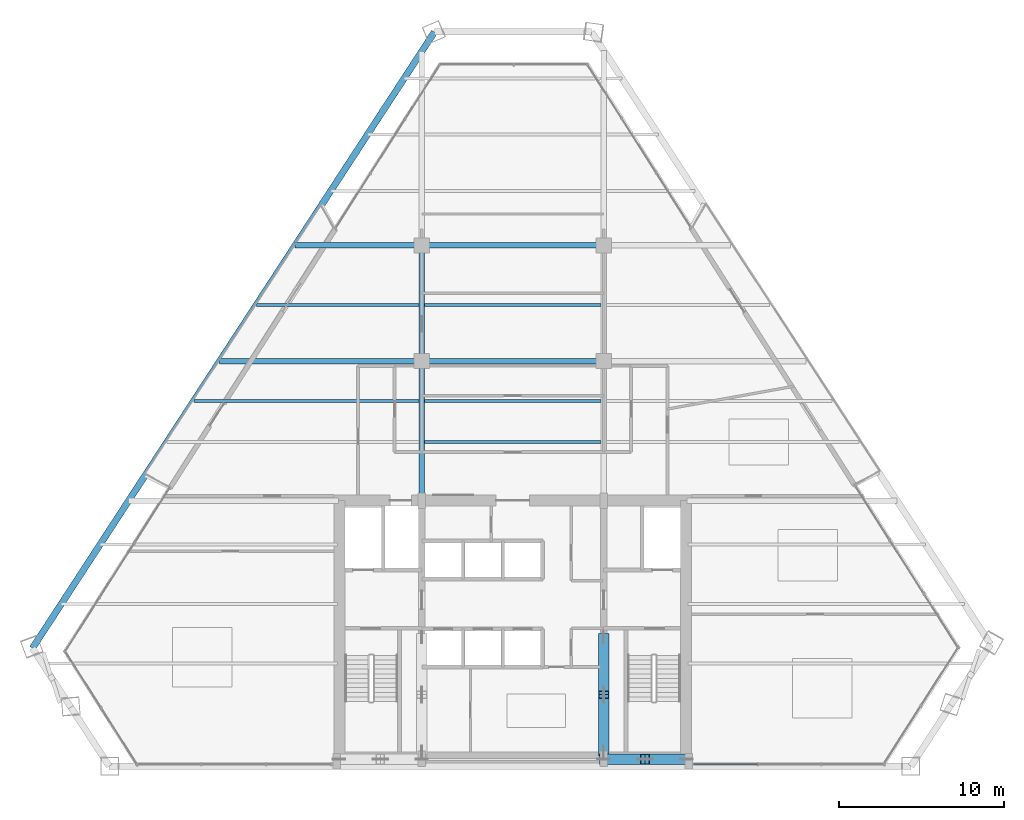
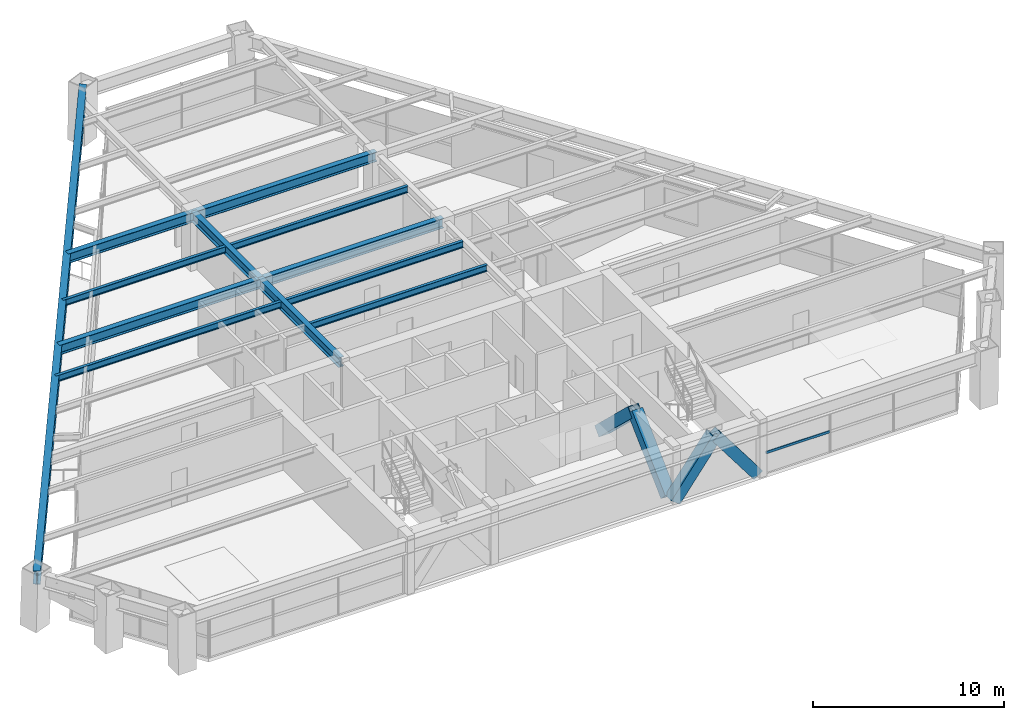
# One storey, part 5 of 15: 12 beams, 5 members, 1 element without a shape of its own.
"""IFC4 building model written with IfcOpenShell, lengths in metres."""

from ifc_helpers import new_model, si_unit, direction, frame, origin, origin_2d, place, context, subcontext, project, spatial, rectangle, hollow_rectangle, i_section, extrude, source, transform, mapped, material, material_profile, profile_set, type_object, type_shapes, element, aggregate, save


model = new_model("IFC4")

# Units and contexts
model_context = context("Model", 3, precision=1e-05, world=origin(), true_north=direction((0.0, 1.0)))
body_context = subcontext(model_context, "Body", "Model", "MODEL_VIEW")
ifc_project = project(units=[si_unit("LENGTHUNIT", "METRE"), si_unit("AREAUNIT", "SQUARE_METRE"), si_unit("VOLUMEUNIT", "CUBIC_METRE"), si_unit("PLANEANGLEUNIT", "RADIAN"), si_unit("MASSUNIT", "GRAM", prefix="KILO")], contexts=[model_context])

# Site, building, storey
site_placement = place(None, origin())
site = spatial("IfcSite", under=ifc_project, at=site_placement, CompositionType="ELEMENT")
building_placement = place(site_placement, origin())
building = spatial("IfcBuilding", under=site, at=building_placement, Name="Varnakhor Terracotta Tower", CompositionType="ELEMENT")
storey_placement = place(building_placement, frame((0.0, 0.0, 158.89990234375)))
storey = spatial("IfcBuildingStorey", under=building, at=storey_placement, Name="L40", CompositionType="ELEMENT", Elevation=158.89990234375)

# Beams
ifc_material_1 = material(Name="Steel S355", Category="steel")
ifc_material_profile_1 = material_profile(ifc_material_1, i_section(OverallWidth=0.324951171875, OverallDepth=0.615966796875, WebThickness=0.013916015625, FlangeThickness=0.02197265625, FilletRadius=0.01806640625, at=origin_2d()), Name="W24X117")
ifc_profile_set_1 = profile_set([ifc_material_profile_1], Name="Steel S355")
beam_type_1 = type_object("IfcBeamType", Name="BM-W24X117", PredefinedType="BEAM", material=ifc_profile_set_1)
shared_shape_1 = source(origin(), body_context, "Body", "SweptSolid", [
    extrude(i_section(OverallWidth=0.324951171875, OverallDepth=0.615966796875, WebThickness=0.013916015625, FlangeThickness=0.02197265625, FilletRadius=0.01806640625, at=origin_2d()), origin(), (0.0, 0.0, 1.0), 8.449951171875),
])
type_shapes(beam_type_1, [shared_shape_1])
beam_1_placement = place(storey_placement, frame((-5.5, 16.050048828125, 3.162109375), z_axis=(0.0, 1.0, 0.0), x_axis=(-1.0, 0.0, 0.0)))
element("IfcBeam", 1, at=beam_1_placement, inside=storey, type_object=beam_type_1, Name="L40 Primary Girder NS1-W", PredefinedType="BEAM", context=body_context, shape_type="MappedRepresentation", body=[
    mapped(shared_shape_1, transform((0.0, 0.0, 0.0), scale=1.0)),
])
shared_shape_2 = source(origin(), body_context, "Body", "SweptSolid", [
    extrude(i_section(OverallWidth=0.324951171875, OverallDepth=0.615966796875, WebThickness=0.013916015625, FlangeThickness=0.02197265625, FilletRadius=0.01806640625, at=origin_2d()), origin(), (0.0, 0.0, 1.0), 7.0),
])
beam_2_placement = place(storey_placement, frame((-5.5, 24.5, 3.162109375), z_axis=(0.0, 1.0, 0.0), x_axis=(-1.0, 0.0, 0.0)))
element("IfcBeam", 2, at=beam_2_placement, inside=storey, type_object=beam_type_1, Name="L40 Primary Girder NS2-W", PredefinedType="BEAM", context=body_context, shape_type="MappedRepresentation", body=[
    mapped(shared_shape_2, transform((0.0, 0.0, 0.0), scale=1.0)),
])
shared_shape_3 = source(origin(), body_context, "Body", "SweptSolid", [
    extrude(i_section(OverallWidth=0.324951171875, OverallDepth=0.615966796875, WebThickness=0.013916015625, FlangeThickness=0.02197265625, FilletRadius=0.01806640625, at=origin_2d()), origin(), (0.0, 0.0, 1.0), 11.0),
])
for number, where, z_axis, x_axis, name in (
    (3, (-5.5, 24.5, 3.162109375), (1.0, 0.0, 0.0), (0.0, 1.0, 0.0), "L40 Primary Girder EW2-2"),
    (4, (-5.5, 31.5, 3.162109375), (1.0, 0.0, 0.0), (0.0, 1.0, 0.0), "L40 Primary Girder EW3-2"),
):
    element("IfcBeam", number, at=place(storey_placement, frame(where, z_axis=z_axis, x_axis=x_axis)), inside=storey, type_object=beam_type_1, Name=name, PredefinedType="BEAM", context=body_context, shape_type="MappedRepresentation", body=[
        mapped(shared_shape_3, transform((0.0, 0.0, 0.0), scale=1.0)),
    ])
ifc_material_profile_2 = material_profile(ifc_material_1, i_section(OverallWidth=0.179931640625, OverallDepth=0.4130859375, WebThickness=0.009765625, FlangeThickness=0.01611328125, FilletRadius=0.01806640625, at=origin_2d()), Name="W16X50")
ifc_profile_set_2 = profile_set([ifc_material_profile_2], Name="Steel S355")
beam_type_2 = type_object("IfcBeamType", Name="JST-W16X50", PredefinedType="JOIST", material=ifc_profile_set_2)
shared_shape_4 = source(origin(), body_context, "Body", "SweptSolid", [
    extrude(i_section(OverallWidth=0.179931640625, OverallDepth=0.4130859375, WebThickness=0.009765625, FlangeThickness=0.01611328125, FilletRadius=0.01806640625, at=origin_2d()), origin(), (0.0, 0.0, 1.0), 10.68310546875),
])
for number, where, z_axis, x_axis, name in (
    (5, (-5.341552734375, 19.60009765625, 3.263671875), (1.0, 0.0, 0.0), (0.0, 1.0, 0.0), "L40 Composite Floor Joist 4-2"),
    (6, (-5.341552734375, 22.10009765625, 3.263671875), (1.0, 0.0, 0.0), (0.0, 1.0, 0.0), "L40 Composite Floor Joist 5-2"),
    (7, (-5.341552734375, 27.89990234375, 3.263671875), (1.0, 0.0, 0.0), (0.0, 1.0, 0.0), "L40 Composite Floor Joist 6-2"),
):
    element("IfcBeam", number, at=place(storey_placement, frame(where, z_axis=z_axis, x_axis=x_axis)), inside=storey, type_object=beam_type_2, Name=name, PredefinedType="JOIST", context=body_context, shape_type="MappedRepresentation", body=[
        mapped(shared_shape_4, transform((0.0, 0.0, 0.0), scale=1.0)),
    ])

# Members
ifc_material_2 = material(Name="Steel S460", Category="steel")
ifc_material_profile_3 = material_profile(ifc_material_2, hollow_rectangle(XDim=0.64990234375, YDim=0.64990234375, WallThickness=0.0400390625, at=origin_2d()), Name="HSS650X650X40")
ifc_profile_set_3 = profile_set([ifc_material_profile_3], Name="Steel S460")
member_type_1 = type_object("IfcMemberType", Name="MBR-MEGA-650", PredefinedType="BRACE", material=ifc_profile_set_3)
shared_shape_5 = source(origin(), body_context, "Body", "SweptSolid", [
    extrude(hollow_rectangle(XDim=0.64990234375, YDim=0.64990234375, WallThickness=0.0400390625, at=origin_2d()), origin(), (0.0, 0.0, 1.0), 4.805908203125),
])
member_1_placement = place(storey_placement, frame((5.5, 0.85009765625, 0.0), z_axis=(0.0, 0.723026776832, 0.69082000549), x_axis=(-1.0, 0.0, 0.0)))
element("IfcMember", 8, at=member_1_placement, inside=storey, type_object=member_type_1, Name="L40 Core Coupled Brace CWEA", PredefinedType="BRACE", context=body_context, shape_type="MappedRepresentation", body=[
    mapped(shared_shape_5, transform((0.0, 0.0, 0.0), scale=1.0)),
])
shared_shape_6 = source(origin(), body_context, "Body", "SweptSolid", [
    extrude(hollow_rectangle(XDim=0.64990234375, YDim=0.64990234375, WallThickness=0.0400390625, at=origin_2d()), origin(), (0.0, 0.0, 1.0), 4.156005859375),
])
for number, where, z_axis, x_axis, name in (
    (9, (5.5, 0.419921875, 0.0), (0.601530923869, 0.0, 0.798849515009), (0.0, 1.0, 0.0), "L40 Core Coupled Brace CSEA"),
    (10, (10.5, 0.419921875, 0.0), (-0.601530923869, 0.0, 0.798849515009), (0.0, -1.0, 0.0), "L40 Core Coupled Brace CSEB"),
):
    element("IfcMember", number, at=place(storey_placement, frame(where, z_axis=z_axis, x_axis=x_axis)), inside=storey, type_object=member_type_1, Name=name, PredefinedType="BRACE", context=body_context, shape_type="MappedRepresentation", body=[
        mapped(shared_shape_6, transform((0.0, 0.0, 0.0), scale=1.0)),
    ])
shared_shape_7 = source(origin(), body_context, "Body", "SweptSolid", [
    extrude(hollow_rectangle(XDim=0.64990234375, YDim=0.64990234375, WallThickness=0.0400390625, at=origin_2d()), origin(), (0.0, 0.0, 1.0), 4.80615234375),
])
member_2_placement = place(storey_placement, frame((5.5, 7.800048828125, 0.0), z_axis=(0.0, -0.723051018573, 0.690794632681), x_axis=(1.0, 0.0, 0.0)))
element("IfcMember", 11, at=member_2_placement, inside=storey, type_object=member_type_1, Name="L40 Core Coupled Brace CWEB", PredefinedType="BRACE", context=body_context, shape_type="MappedRepresentation", body=[
    mapped(shared_shape_7, transform((0.0, 0.0, 0.0), scale=1.0)),
])

# Beams
ifc_material_profile_4 = material_profile(ifc_material_1, i_section(OverallWidth=0.39990234375, OverallDepth=0.85498046875, WebThickness=0.01806640625, FlangeThickness=0.029052734375, FilletRadius=0.01806640625, at=origin_2d()), Name="W33X201")
ifc_profile_set_4 = profile_set([ifc_material_profile_4], Name="Steel S355")
beam_type_3 = type_object("IfcBeamType", Name="BM-W33X201", PredefinedType="BEAM", material=ifc_profile_set_4)
shared_shape_8 = source(origin(), body_context, "Body", "SweptSolid", [
    extrude(i_section(OverallWidth=0.39990234375, OverallDepth=0.85498046875, WebThickness=0.01806640625, FlangeThickness=0.029052734375, FilletRadius=0.01806640625, at=origin_2d()), origin(), (0.0, 0.0, 1.0), 44.5078125),
])
beam_3_placement = place(storey_placement, frame((-4.733642578125, 44.410400390625, 3.04248046875), z_axis=(-0.54636733489, -0.83754566166, 0.0), x_axis=(0.83754566166, -0.54636733489, 0.0)))
element("IfcBeam", 12, at=beam_3_placement, inside=storey, type_object=beam_type_3, Name="L40 Perimeter Spandrel 6", PredefinedType="BEAM", context=body_context, shape_type="MappedRepresentation", body=[
    mapped(shared_shape_8, transform((0.0, 0.0, 0.0), scale=1.0)),
])
shared_shape_9 = source(origin(), body_context, "Body", "SweptSolid", [
    extrude(i_section(OverallWidth=0.324951171875, OverallDepth=0.615966796875, WebThickness=0.013916015625, FlangeThickness=0.02197265625, FilletRadius=0.01806640625, at=origin_2d()), origin(), (0.0, 0.0, 1.0), 12.221923828125),
])
beam_4_placement = place(storey_placement, frame((-17.721923828125, 24.5, 3.162109375), z_axis=(1.0, 0.0, 0.0), x_axis=(0.0, 1.0, 0.0)))
element("IfcBeam", 13, at=beam_4_placement, inside=storey, type_object=beam_type_1, Name="L40 Primary Girder EW2-1", PredefinedType="BEAM", context=body_context, shape_type="MappedRepresentation", body=[
    mapped(shared_shape_9, transform((0.0, 0.0, 0.0), scale=1.0)),
])
shared_shape_10 = source(origin(), body_context, "Body", "SweptSolid", [
    extrude(i_section(OverallWidth=0.324951171875, OverallDepth=0.615966796875, WebThickness=0.013916015625, FlangeThickness=0.02197265625, FilletRadius=0.01806640625, at=origin_2d()), origin(), (0.0, 0.0, 1.0), 7.655517578125),
])
beam_5_placement = place(storey_placement, frame((-13.155517578125, 31.5, 3.162109375), z_axis=(1.0, 0.0, 0.0), x_axis=(0.0, 1.0, 0.0)))
element("IfcBeam", 14, at=beam_5_placement, inside=storey, type_object=beam_type_1, Name="L40 Primary Girder EW3-1", PredefinedType="BEAM", context=body_context, shape_type="MappedRepresentation", body=[
    mapped(shared_shape_10, transform((0.0, 0.0, 0.0), scale=1.0)),
])
shared_shape_11 = source(origin(), body_context, "Body", "SweptSolid", [
    extrude(i_section(OverallWidth=0.179931640625, OverallDepth=0.4130859375, WebThickness=0.009765625, FlangeThickness=0.01611328125, FilletRadius=0.01806640625, at=origin_2d()), origin(), (0.0, 0.0, 1.0), 13.629150390625),
])
beam_6_placement = place(storey_placement, frame((-19.28759765625, 22.10009765625, 3.263671875), z_axis=(1.0, 0.0, 0.0), x_axis=(0.0, 1.0, 0.0)))
element("IfcBeam", 15, at=beam_6_placement, inside=storey, type_object=beam_type_2, Name="L40 Composite Floor Joist 5-1", PredefinedType="JOIST", context=body_context, shape_type="MappedRepresentation", body=[
    mapped(shared_shape_11, transform((0.0, 0.0, 0.0), scale=1.0)),
])
shared_shape_12 = source(origin(), body_context, "Body", "SweptSolid", [
    extrude(i_section(OverallWidth=0.179931640625, OverallDepth=0.4130859375, WebThickness=0.009765625, FlangeThickness=0.01611328125, FilletRadius=0.01806640625, at=origin_2d()), origin(), (0.0, 0.0, 1.0), 9.845458984375),
])
beam_7_placement = place(storey_placement, frame((-15.50390625, 27.89990234375, 3.263671875), z_axis=(1.0, 0.0, 0.0), x_axis=(0.0, 1.0, 0.0)))
element("IfcBeam", 16, at=beam_7_placement, inside=storey, type_object=beam_type_2, Name="L40 Composite Floor Joist 6-1", PredefinedType="JOIST", context=body_context, shape_type="MappedRepresentation", body=[
    mapped(shared_shape_12, transform((0.0, 0.0, 0.0), scale=1.0)),
])

# Curtain wall, member
ifc_material_3 = material(Name="Anodised Aluminium Curtain Wall System", Category="aluminium")
curtain_wall_type = type_object("IfcCurtainWallType", Name="CW-SYS-MID-OFFICE", PredefinedType="NOTDEFINED", material=ifc_material_3)
curtain_wall_placement = place(storey_placement, origin())
curtain_wall = element("IfcCurtainWall", 17, at=curtain_wall_placement, inside=storey, type_object=curtain_wall_type, Name="L40 South Wing Curtain Wall SSE", PredefinedType="NOTDEFINED")
ifc_material_4 = material(Name="Anodised Aluminium 6063-T6", Category="aluminium")
ifc_material_profile_5 = material_profile(ifc_material_4, rectangle(XDim=0.070068359375, YDim=0.155029296875, at=origin_2d()), Name="ALU TRANSOM 70x155")
ifc_profile_set_5 = profile_set([ifc_material_profile_5], Name="Anodised Aluminium 6063-T6")
member_type_2 = type_object("IfcMemberType", Name="CWT-03", PredefinedType="USERDEFINED", material=ifc_profile_set_5)
shared_shape_13 = source(origin(), body_context, "Body", "SweptSolid", [
    extrude(rectangle(XDim=0.070068359375, YDim=0.155029296875, at=origin_2d()), origin(), (0.0, 0.0, 1.0), 3.83984375),
])
member_3_placement = place(storey_placement, frame((14.809814453125, 0.1201171875, 1.281005859375), z_axis=(-1.0, 0.0, 0.0), x_axis=(0.0, -1.0, 0.0)))
member_3 = element("IfcMember", 18, at=member_3_placement, type_object=member_type_2, Name="L40 South Wing Curtain Wall SSE Transom 3", ObjectType="TRANSOM", PredefinedType="USERDEFINED", context=body_context, shape_type="MappedRepresentation", body=[
    mapped(shared_shape_13, transform((0.0, 0.0, 0.0), scale=1.0)),
])
aggregate(curtain_wall, [member_3])

save(model, "model.ifc")
